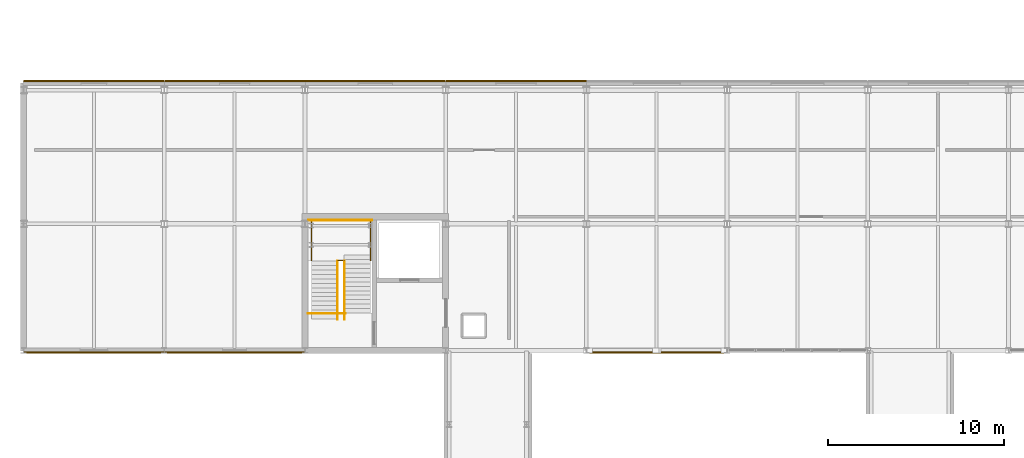
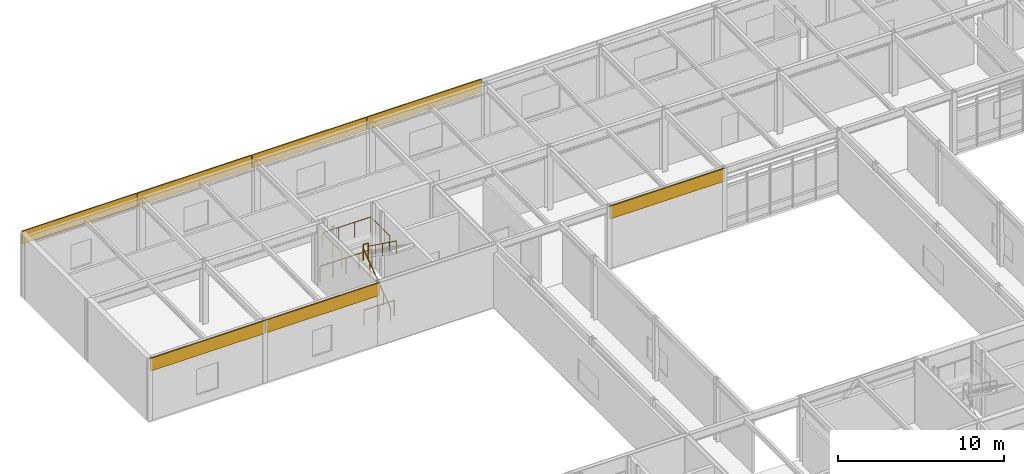
# One storey, part 97 of 104: 7 coverings, 6 railings.
"""IFC4 building model written with IfcOpenShell, lengths in metres."""

from ifc_helpers import new_model, si_unit, direction, frame, origin, origin_2d, place, context, subcontext, project, spatial, rectangle, circle, extrude, material, layer, layer_set, type_object, element, save


model = new_model("IFC4")

# Units and contexts
model_context = context("Model", 3, precision=1e-05, world=origin(), true_north=direction((0.0, 1.0)))
body_context = subcontext(model_context, "Body", "Model", "MODEL_VIEW")
ifc_project = project(units=[si_unit("LENGTHUNIT", "METRE"), si_unit("AREAUNIT", "SQUARE_METRE"), si_unit("VOLUMEUNIT", "CUBIC_METRE"), si_unit("PLANEANGLEUNIT", "RADIAN"), si_unit("MASSUNIT", "GRAM", prefix="KILO")], contexts=[model_context])

# Site, building, storey
site_placement = place(None, origin())
site = spatial("IfcSite", under=ifc_project, at=site_placement, CompositionType="ELEMENT")
building_placement = place(site_placement, origin())
building = spatial("IfcBuilding", under=site, at=building_placement, Name="Zulena Civic Courthouse", CompositionType="ELEMENT")
storey_placement = place(building_placement, frame((0.0, 0.0, 10.800048828125)))
storey = spatial("IfcBuildingStorey", under=building, at=storey_placement, Name="L02", CompositionType="ELEMENT", Elevation=10.800048828125)

# Railings
ifc_material_1 = material(Name="Brushed architectural steel ASTM A36", Category="steel")
railing_type_1 = type_object("IfcRailingType", Name="InteriorGuardrail_1150", PredefinedType="GUARDRAIL", material=ifc_material_1)
railing_1_placement = place(storey_placement, frame((20.199951171875, 53.409912109375, 0.0)))
element("IfcRailing", 1, at=railing_1_placement, inside=storey, type_object=railing_type_1, Name="gr:wellN:K5A:L01", PredefinedType="GUARDRAIL", context=body_context, shape_type="SweptSolid", body=[
    extrude(circle(Radius=0.02392578125, at=origin_2d()), frame((0.00390625, 0.0, 1.1259765625), z_axis=(1.0, 0.0, 0.0), x_axis=(0.0, 1.0, 0.0)), (0.0, 0.0, 1.0), 3.592041015625),
    extrude(circle(Radius=0.02099609375, at=origin_2d()), origin(), (0.0, 0.0, 1.0), 1.097900390625),
    extrude(circle(Radius=0.02099609375, at=origin_2d()), frame((0.89990234375, 0.0, 0.0)), (0.0, 0.0, 1.0), 1.097900390625),
    extrude(circle(Radius=0.02099609375, at=origin_2d()), frame((1.800048828125, 0.0, 0.0)), (0.0, 0.0, 1.0), 1.097900390625),
    extrude(circle(Radius=0.02099609375, at=origin_2d()), frame((2.7001953125, 0.0, 0.0)), (0.0, 0.0, 1.0), 1.097900390625),
    extrude(circle(Radius=0.02099609375, at=origin_2d()), frame((3.60009765625, 0.0, 0.0)), (0.0, 0.0, 1.0), 1.097900390625),
])
railing_2_placement = place(storey_placement, frame((20.179931640625, 48.10009765625, 0.0)))
element("IfcRailing", 2, at=railing_2_placement, inside=storey, type_object=railing_type_1, Name="gr:wells:K5A:L02", PredefinedType="GUARDRAIL", context=body_context, shape_type="SweptSolid", body=[
    extrude(circle(Radius=0.02392578125, at=origin_2d()), frame((0.00390625, 0.0, 1.1259765625), z_axis=(1.0, 0.0, 0.0), x_axis=(0.0, 1.0, 0.0)), (0.0, 0.0, 1.0), 2.112060546875),
    extrude(circle(Radius=0.02099609375, at=origin_2d()), origin(), (0.0, 0.0, 1.0), 1.097900390625),
    extrude(circle(Radius=0.02099609375, at=origin_2d()), frame((1.06005859375, 0.0, 0.0)), (0.0, 0.0, 1.0), 1.097900390625),
    extrude(circle(Radius=0.02099609375, at=origin_2d()), frame((2.1201171875, 0.0, 0.0)), (0.0, 0.0, 1.0), 1.097900390625),
])
railing_3_placement = place(storey_placement, frame((20.3798828125, 51.094482421875, 2.39990234375)))
element("IfcRailing", 3, at=railing_3_placement, inside=storey, type_object=railing_type_1, Name="gr:lnd:K5A:L02", PredefinedType="GUARDRAIL", context=body_context, shape_type="SweptSolid", body=[
    extrude(circle(Radius=0.02392578125, at=origin_2d()), frame((0.0, 0.00390625, 1.1259765625), z_axis=(0.0, 1.0, 0.0), x_axis=(-1.0, 0.0, 0.0)), (0.0, 0.0, 1.0), 2.3173828125),
    extrude(circle(Radius=0.02392578125, at=origin_2d()), frame((0.00390625, 2.325439453125, 1.1259765625), z_axis=(1.0, 0.0, 0.0), x_axis=(0.0, 1.0, 0.0)), (0.0, 0.0, 1.0), 3.33203125),
    extrude(circle(Radius=0.02392578125, at=origin_2d()), frame((3.340087890625, 2.321533203125, 1.1259765625), z_axis=(0.0, -1.0, 0.0), x_axis=(1.0, 0.0, 0.0)), (0.0, 0.0, 1.0), 2.3173828125),
    extrude(circle(Radius=0.02099609375, at=origin_2d()), origin(), (0.0, 0.0, 1.0), 1.097900390625),
    extrude(circle(Radius=0.02099609375, at=origin_2d()), frame((0.0, 1.16259765625, 0.0)), (0.0, 0.0, 1.0), 1.097900390625),
    extrude(circle(Radius=0.02099609375, at=origin_2d()), frame((0.0, 2.325439453125, 0.0)), (0.0, 0.0, 1.0), 1.097900390625),
    extrude(circle(Radius=0.02099609375, at=origin_2d()), frame((1.11328125, 2.325439453125, 0.0)), (0.0, 0.0, 1.0), 1.097900390625),
    extrude(circle(Radius=0.02099609375, at=origin_2d()), frame((2.226806640625, 2.325439453125, 0.0)), (0.0, 0.0, 1.0), 1.097900390625),
    extrude(circle(Radius=0.02099609375, at=origin_2d()), frame((3.340087890625, 2.325439453125, 0.0)), (0.0, 0.0, 1.0), 1.097900390625),
    extrude(circle(Radius=0.02099609375, at=origin_2d()), frame((3.340087890625, 1.16259765625, 0.0)), (0.0, 0.0, 1.0), 1.097900390625),
    extrude(circle(Radius=0.02099609375, at=origin_2d()), frame((3.340087890625, 0.0, 0.0)), (0.0, 0.0, 1.0), 1.097900390625),
])
railing_4_placement = place(storey_placement, frame((21.8798828125, 51.114990234375, 2.39990234375)))
element("IfcRailing", 4, at=railing_4_placement, inside=storey, type_object=railing_type_1, Name="gr:lndslot:K5A:L02", PredefinedType="GUARDRAIL", context=body_context, shape_type="SweptSolid", body=[
    extrude(circle(Radius=0.02392578125, at=origin_2d()), frame((0.00390625, 0.0, 1.1259765625), z_axis=(1.0, 0.0, 0.0), x_axis=(0.0, 1.0, 0.0)), (0.0, 0.0, 1.0), 0.33203125),
    extrude(circle(Radius=0.02099609375, at=origin_2d()), origin(), (0.0, 0.0, 1.0), 1.097900390625),
    extrude(circle(Radius=0.02099609375, at=origin_2d()), frame((0.340087890625, 0.0, 0.0)), (0.0, 0.0, 1.0), 1.097900390625),
])

# Coverings
ifc_material_2 = material(Name="White architectural precast concrete C40/50", Category="concrete")
ifc_layer = layer(ifc_material_2, 0.0849609375)
ifc_layer_set = layer_set([ifc_layer], Name="White architectural precast concrete C40/50")
covering_type = type_object("IfcCoveringType", Name="PrecastSpandrelCladding_85", PredefinedType="CLADDING", material=ifc_layer_set)
for number, where, z_axis, x_axis, name in (
    (5, (8.0, 61.320068359375, 3.659912109375), (0.0, 0.0, 1.0), (1.0, 0.0, 0.0), "clad:sp:V5:L02:1:0"),
    (6, (16.0, 61.320068359375, 3.659912109375), (0.0, 0.0, 1.0), (1.0, 0.0, 0.0), "clad:sp:V5:L02:1:1"),
    (7, (24.0, 61.320068359375, 3.659912109375), (0.0, 0.0, 1.0), (1.0, 0.0, 0.0), "clad:sp:V5:L02:1:2"),
    (8, (32.0, 61.320068359375, 3.659912109375), (0.0, 0.0, 1.0), (1.0, 0.0, 0.0), "clad:sp:V5:L02:1:3"),
    (9, (40.0, 45.8798828125, 3.659912109375), (0.0, 0.0, 1.0), (-1.0, 0.0, 0.0), "clad:sp:V5:L02:5:8"),
    (10, (16.0, 45.8798828125, 3.659912109375), (0.0, 0.0, 1.0), (-1.0, 0.0, 0.0), "clad:sp:V5:L02:5:11"),
    (11, (8.0, 45.8798828125, 3.659912109375), (0.0, 0.0, 1.0), (-1.0, 0.0, 0.0), "clad:sp:V5:L02:5:12"),
):
    element("IfcCovering", number, at=place(storey_placement, frame(where, z_axis=z_axis, x_axis=x_axis)), inside=storey, type_object=covering_type, Name=name, PredefinedType="CLADDING", context=body_context, shape_type="SweptSolid", body=[
        extrude(rectangle(XDim=7.9599609375, YDim=0.0849609375, at=origin_2d()), origin(), (0.0, 0.0, 1.0), 0.93994140625),
    ])

# Railings
railing_type_2 = type_object("IfcRailingType", Name="StairHandrail_920", PredefinedType="HANDRAIL", material=ifc_material_1)
railing_5_placement = place(storey_placement, frame((21.85009765625, 47.780029296875, 0.0)))
element("IfcRailing", 12, at=railing_5_placement, inside=storey, type_object=railing_type_2, Name="hr:K5A:L02:1", PredefinedType="HANDRAIL", context=body_context, shape_type="SweptSolid", body=[
    extrude(circle(Radius=0.02392578125, at=origin_2d()), frame((0.0, 0.003173828125, 0.898193359375), z_axis=(0.0, 0.809967530533, 0.586474721946), x_axis=(-1.0, 0.0, 0.0)), (0.0, 0.0, 1.0), 4.083984375),
    extrude(circle(Radius=0.02099609375, at=origin_2d()), origin(), (0.0, 0.0, 1.0), 0.867919921875),
    extrude(circle(Radius=0.02099609375, at=origin_2d()), frame((0.0, 0.82861328125, 0.60009765625)), (0.0, 0.0, 1.0), 0.867919921875),
    extrude(circle(Radius=0.02099609375, at=origin_2d()), frame((0.0, 1.6572265625, 1.199951171875)), (0.0, 0.0, 1.0), 0.867919921875),
    extrude(circle(Radius=0.02099609375, at=origin_2d()), frame((0.0, 2.48583984375, 1.7998046875)), (0.0, 0.0, 1.0), 0.867919921875),
    extrude(circle(Radius=0.02099609375, at=origin_2d()), frame((0.0, 3.314453125, 2.39990234375)), (0.0, 0.0, 1.0), 0.867919921875),
])
railing_6_placement = place(storey_placement, frame((22.25, 51.094482421875, 2.39990234375)))
element("IfcRailing", 13, at=railing_6_placement, inside=storey, type_object=railing_type_2, Name="hr:K5A:L02:2", PredefinedType="HANDRAIL", context=body_context, shape_type="SweptSolid", body=[
    extrude(circle(Radius=0.02392578125, at=origin_2d()), frame((0.0, -0.003173828125, 0.898193359375), z_axis=(0.0, -0.809939189741, 0.586513860809), x_axis=(1.0, 0.0, 0.0)), (0.0, 0.0, 1.0), 4.084228515625),
    extrude(circle(Radius=0.02099609375, at=origin_2d()), origin(), (0.0, 0.0, 1.0), 0.867919921875),
    extrude(circle(Radius=0.02099609375, at=origin_2d()), frame((0.0, -0.82861328125, 0.60009765625)), (0.0, 0.0, 1.0), 0.867919921875),
    extrude(circle(Radius=0.02099609375, at=origin_2d()), frame((0.0, -1.6572265625, 1.2001953125)), (0.0, 0.0, 1.0), 0.867919921875),
    extrude(circle(Radius=0.02099609375, at=origin_2d()), frame((0.0, -2.48583984375, 1.800048828125)), (0.0, 0.0, 1.0), 0.867919921875),
    extrude(circle(Radius=0.02099609375, at=origin_2d()), frame((0.0, -3.314453125, 2.400146484375)), (0.0, 0.0, 1.0), 0.867919921875),
])

save(model, "model.ifc")
